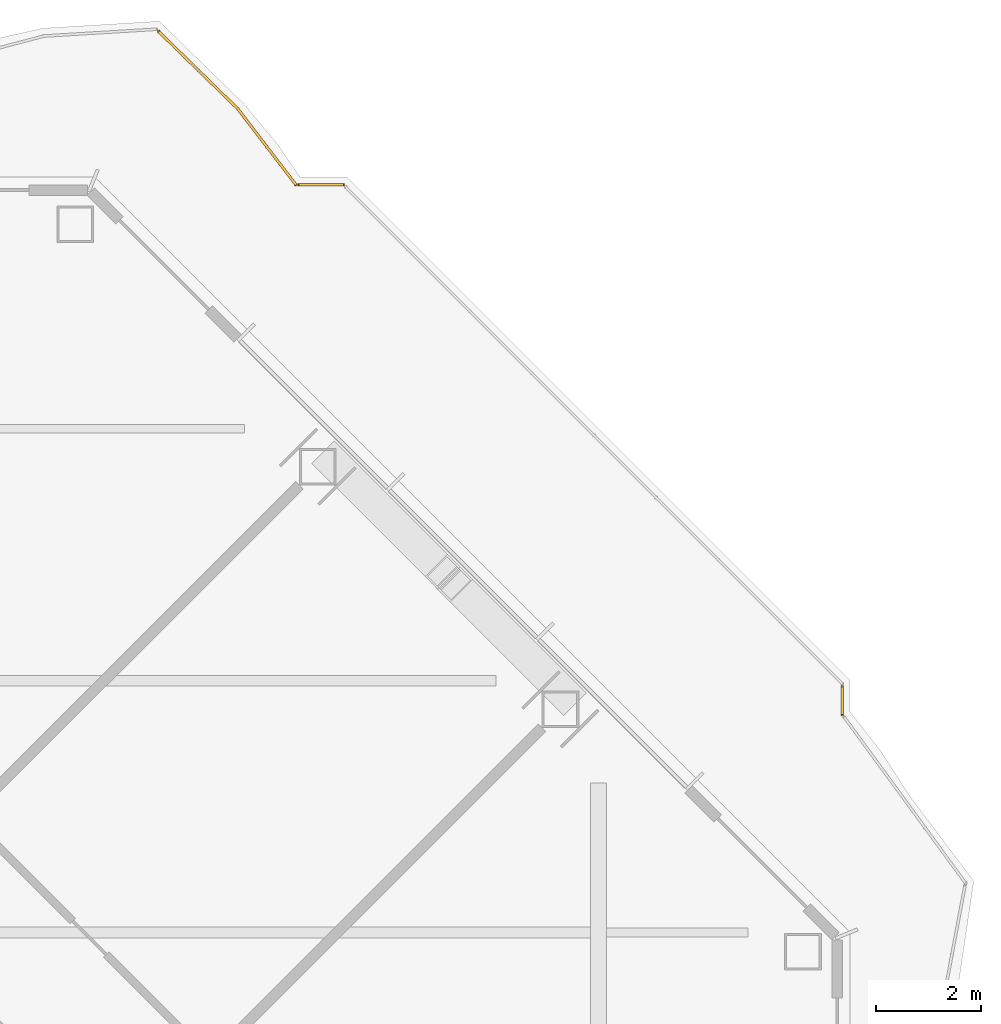
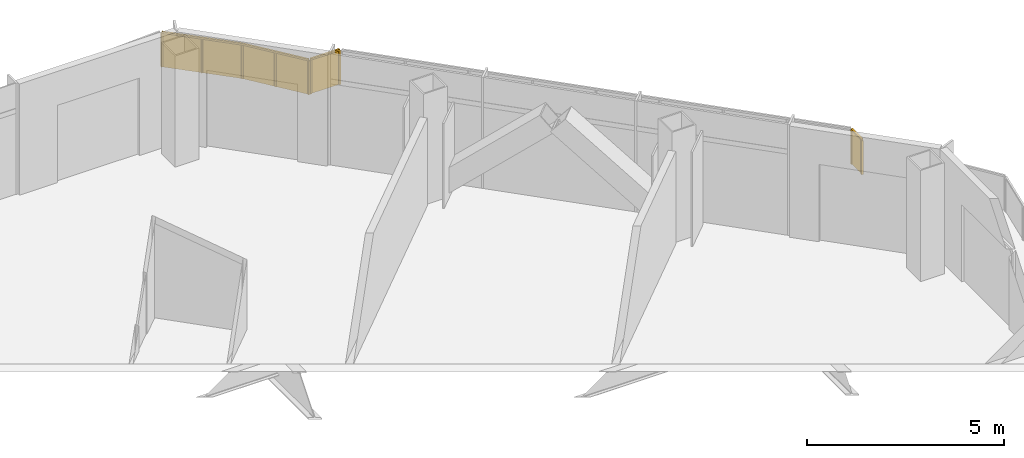
# One storey, part 23 of 24: 3 railings.
"""IFC4 building model written with IfcOpenShell, lengths in metres."""

from ifc_helpers import new_model, si_unit, direction, frame, origin, origin_2d, place, context, subcontext, project, spatial, polyline, rectangle, outline, extrude, material, type_object, element, save


model = new_model("IFC4")

# Units and contexts
model_context = context("Model", 3, precision=1e-05, world=origin(), true_north=direction((0.0, 1.0)))
body_context = subcontext(model_context, "Body", "Model", "MODEL_VIEW")
ifc_project = project(units=[si_unit("LENGTHUNIT", "METRE"), si_unit("AREAUNIT", "SQUARE_METRE"), si_unit("VOLUMEUNIT", "CUBIC_METRE"), si_unit("PLANEANGLEUNIT", "RADIAN"), si_unit("MASSUNIT", "GRAM", prefix="KILO")], contexts=[model_context])

# Site, building, storey
site_placement = place(None, origin())
site = spatial("IfcSite", under=ifc_project, at=site_placement, CompositionType="ELEMENT")
building_placement = place(site_placement, origin())
building = spatial("IfcBuilding", under=site, at=building_placement, Name="Cairn Pilgrim Tower", CompositionType="ELEMENT")
storey_placement = place(building_placement, frame((0.0, 0.0, 125.39990234375)))
storey = spatial("IfcBuildingStorey", under=building, at=storey_placement, Name="L30", CompositionType="ELEMENT", Elevation=125.39990234375)

# Railings
ifc_material = material(Name="Bronze anodised aluminium rail and posts with laminated glass infill", Category="aluminium")
railing_type = type_object("IfcRailingType", Name="BALCONY GUARD 1100", PredefinedType="GUARDRAIL", material=ifc_material)
railing_1_placement = place(storey_placement, frame((35.85009765625, 18.5517578125, 0.0)))
element("IfcRailing", 1, at=railing_1_placement, inside=storey, type_object=railing_type, Name="Balcony guard BG-8", PredefinedType="GUARDRAIL", context=body_context, shape_type="SweptSolid", body=[
    extrude(rectangle(XDim=0.050048828125, YDim=0.050048828125, at=origin_2d()), frame((0.0, 0.0, 1.0751953125), z_axis=(0.0, 1.0, 0.0), x_axis=(-1.0, 0.0, 0.0)), (0.0, 0.0, 1.0), 0.526123046875),
    extrude(rectangle(XDim=0.050048828125, YDim=0.050048828125, at=origin_2d()), origin(), (0.0, 0.0, 1.0), 1.050048828125),
    extrude(rectangle(XDim=0.050048828125, YDim=0.050048828125, at=origin_2d()), frame((0.0, 0.526123046875, 0.0)), (0.0, 0.0, 1.0), 1.050048828125),
    extrude(outline(polyline([(0.02490234375, 0.0), (0.5009765625, 0.0), (0.5009765625, 1.050048828125), (0.02490234375, 1.050048828125), (0.02490234375, 0.0)])), frame((-0.005859375, 0.0, 0.0), z_axis=(1.0, 0.0, 0.0), x_axis=(0.0, 1.0, 0.0)), (0.0, 0.0, 1.0), 0.011962890625),
])
railing_2_placement = place(storey_placement, frame((26.337890625, 28.64990234375, 0.0)))
element("IfcRailing", 2, at=railing_2_placement, inside=storey, type_object=railing_type, Name="Balcony guard BG-10", PredefinedType="GUARDRAIL", context=body_context, shape_type="SweptSolid", body=[
    extrude(rectangle(XDim=0.050048828125, YDim=0.050048828125, at=origin_2d()), frame((0.0, 0.0, 1.0751953125), z_axis=(-1.0, 0.0, 0.0), x_axis=(0.0, -1.0, 0.0)), (0.0, 0.0, 1.0), 0.843017578125),
    extrude(rectangle(XDim=0.050048828125, YDim=0.050048828125, at=origin_2d()), origin(), (0.0, 0.0, 1.0), 1.050048828125),
    extrude(rectangle(XDim=0.050048828125, YDim=0.050048828125, at=origin_2d()), frame((-0.843017578125, 0.0, 0.0)), (0.0, 0.0, 1.0), 1.050048828125),
    extrude(outline(polyline([(0.02490234375, 0.0), (0.81787109375, 0.0), (0.81787109375, 1.050048828125), (0.02490234375, 1.050048828125), (0.02490234375, 0.0)])), frame((0.0, -0.005859375, 0.0), z_axis=(0.0, 1.0, 0.0), x_axis=(-1.0, 0.0, 0.0)), (0.0, 0.0, 1.0), 0.011962890625),
])
railing_3_placement = place(storey_placement, frame((25.43505859375, 28.64990234375, 0.0)))
element("IfcRailing", 3, at=railing_3_placement, inside=storey, type_object=railing_type, Name="Balcony guard BG-11", PredefinedType="GUARDRAIL", context=body_context, shape_type="SweptSolid", body=[
    extrude(rectangle(XDim=0.050048828125, YDim=0.050048828125, at=origin_2d()), frame((0.0, 0.0, 1.0751953125), z_axis=(-0.608189917757, 0.793791549425, 0.0), x_axis=(-0.793791549425, -0.608189917757, 0.0)), (0.0, 0.0, 1.0), 1.824462890625),
    extrude(rectangle(XDim=0.050048828125, YDim=0.050048828125, at=origin_2d()), frame((-1.109619140625, 1.4482421875, 1.0751953125), z_axis=(-0.715155670152, 0.698965211902, 0.0), x_axis=(-0.698965211902, -0.715155670152, 0.0)), (0.0, 0.0, 1.0), 2.111083984375),
    extrude(rectangle(XDim=0.050048828125, YDim=0.050048828125, at=origin_2d()), origin(), (0.0, 0.0, 1.0), 1.050048828125),
    extrude(rectangle(XDim=0.050048828125, YDim=0.050048828125, at=origin_2d()), frame((-0.5546875, 0.72412109375, 0.0)), (0.0, 0.0, 1.0), 1.050048828125),
    extrude(rectangle(XDim=0.050048828125, YDim=0.050048828125, at=origin_2d()), frame((-1.109619140625, 1.4482421875, 0.0)), (0.0, 0.0, 1.0), 1.050048828125),
    extrude(rectangle(XDim=0.050048828125, YDim=0.050048828125, at=origin_2d()), frame((-1.864501953125, 2.18603515625, 0.0)), (0.0, 0.0, 1.0), 1.050048828125),
    extrude(rectangle(XDim=0.050048828125, YDim=0.050048828125, at=origin_2d()), frame((-2.619384765625, 2.923828125, 0.0)), (0.0, 0.0, 1.0), 1.050048828125),
    extrude(outline(polyline([(0.02490234375, 0.0), (0.88720703125, 0.0), (0.88720703125, 1.050048828125), (0.02490234375, 1.050048828125), (0.02490234375, 0.0)])), frame((-0.004638671875, -0.003662109375, 0.0), z_axis=(0.793791549425, 0.608189917757, 0.0), x_axis=(-0.608189917757, 0.793791549425, 0.0)), (0.0, 0.0, 1.0), 0.011962890625),
    extrude(outline(polyline([(0.02490234375, 0.0), (0.88720703125, 0.0), (0.88720703125, 1.050048828125), (0.02490234375, 1.050048828125), (0.02490234375, 0.0)])), frame((-0.5595703125, 0.720458984375, 0.0), z_axis=(0.793791549425, 0.608189917757, 0.0), x_axis=(-0.608189917757, 0.793791549425, 0.0)), (0.0, 0.0, 1.0), 0.011962890625),
    extrude(outline(polyline([(0.02490234375, 0.0), (1.030517578125, 0.0), (1.030517578125, 1.050048828125), (0.02490234375, 1.050048828125), (0.02490234375, 0.0)])), frame((-1.11376953125, 1.44384765625, 0.0), z_axis=(0.698965211902, 0.715155670152, 0.0), x_axis=(-0.715155670152, 0.698965211902, 0.0)), (0.0, 0.0, 1.0), 0.011962890625),
    extrude(outline(polyline([(0.02490234375, 0.0), (1.030517578125, 0.0), (1.030517578125, 1.050048828125), (0.02490234375, 1.050048828125), (0.02490234375, 0.0)])), frame((-1.86865234375, 2.181640625, 0.0), z_axis=(0.698965211902, 0.715155670152, 0.0), x_axis=(-0.715155670152, 0.698965211902, 0.0)), (0.0, 0.0, 1.0), 0.011962890625),
])

save(model, "model.ifc")
